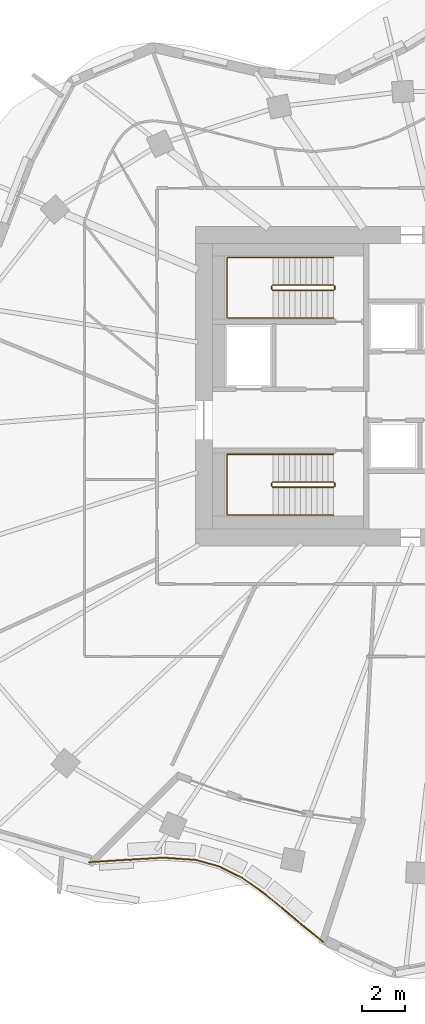
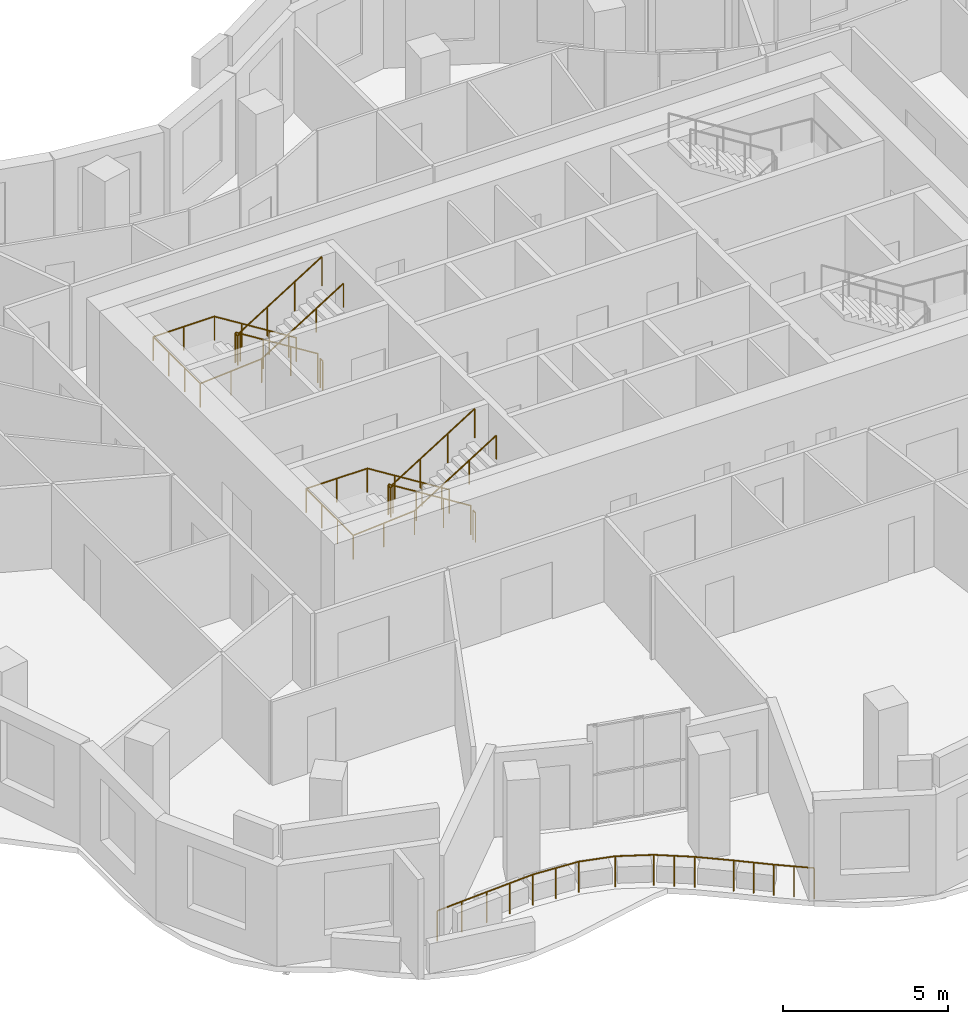
# One storey, part 12 of 13: 7 railings.
"""IFC4 building model written with IfcOpenShell, lengths in metres."""

from ifc_helpers import new_model, si_unit, direction, frame, origin, origin_2d, place, context, subcontext, project, spatial, circle, extrude, material, type_object, element, save


model = new_model("IFC4")

# Units and contexts
model_context = context("Model", 3, precision=1e-05, world=origin(), true_north=direction((0.0, 1.0)))
body_context = subcontext(model_context, "Body", "Model", "MODEL_VIEW")
ifc_project = project(units=[si_unit("LENGTHUNIT", "METRE"), si_unit("AREAUNIT", "SQUARE_METRE"), si_unit("VOLUMEUNIT", "CUBIC_METRE"), si_unit("PLANEANGLEUNIT", "RADIAN"), si_unit("MASSUNIT", "GRAM", prefix="KILO")], contexts=[model_context])

# Site, building, storey
site_placement = place(None, origin())
site = spatial("IfcSite", under=ifc_project, at=site_placement, CompositionType="ELEMENT")
building_placement = place(site_placement, origin())
building = spatial("IfcBuilding", under=site, at=building_placement, Name="Rubra Terraces Tower", CompositionType="ELEMENT")
storey_placement = place(building_placement, frame((0.0, 0.0, 252.60009765625)))
storey = spatial("IfcBuildingStorey", under=building, at=storey_placement, Name="L62", CompositionType="ELEMENT", Elevation=252.60009765625)

# Railings
ifc_material_1 = material(Name="Stainless steel", Category="steel")
railing_type_1 = type_object("IfcRailingType", Name="Core stair guard 1100", PredefinedType="GUARDRAIL", material=ifc_material_1)
railing_1_placement = place(storey_placement, frame((-6.5, 0.0, 0.162353515625)))
element("IfcRailing", 1, at=railing_1_placement, inside=storey, type_object=railing_type_1, Name="L62 stair S1 guard 1", PredefinedType="GUARDRAIL", context=body_context, shape_type="SweptSolid", body=[
    extrude(circle(Radius=0.02392578125, at=origin_2d()), frame((0.0, 0.0, 1.076171875), z_axis=(-0.847994237388, 0.0, 0.530005446535), x_axis=(0.0, -1.0, 0.0)), (0.0, 0.0, 1.0), 3.372802734375),
    extrude(circle(Radius=0.02392578125, at=origin_2d()), frame((-2.860107421875, 0.0, 2.86376953125), z_axis=(-0.705375805398, -0.708833529934, 0.0), x_axis=(0.708833529934, -0.705375805398, 0.0)), (0.0, 0.0, 1.0), 0.070556640625),
    extrude(circle(Radius=0.02392578125, at=origin_2d()), frame((-2.909912109375, -0.050048828125, 2.86376953125), z_axis=(0.0, -1.0, 0.0), x_axis=(1.0, 0.0, 0.0)), (0.0, 0.0, 1.0), 0.14990234375),
    extrude(circle(Radius=0.02392578125, at=origin_2d()), frame((-2.909912109375, -0.199951171875, 2.86376953125), z_axis=(0.281314826061, -0.282693820306, 0.917031173188), x_axis=(0.708833529934, 0.705375805398, 0.0)), (0.0, 0.0, 1.0), 0.177001953125),
    extrude(circle(Radius=0.02392578125, at=origin_2d()), frame((-2.860107421875, -0.25, 3.02587890625), z_axis=(0.847994237388, 0.0, 0.530005446535), x_axis=(0.0, 1.0, 0.0)), (0.0, 0.0, 1.0), 3.372802734375),
    extrude(circle(Radius=0.02099609375, at=origin_2d()), origin(), (0.0, 0.0, 1.0), 1.052001953125),
    extrude(circle(Radius=0.02099609375, at=origin_2d()), frame((-0.953369140625, 0.0, 0.595947265625)), (0.0, 0.0, 1.0), 1.052001953125),
    extrude(circle(Radius=0.02099609375, at=origin_2d()), frame((-1.90673828125, 0.0, 1.191650390625)), (0.0, 0.0, 1.0), 1.052001953125),
    extrude(circle(Radius=0.02099609375, at=origin_2d()), frame((-2.860107421875, 0.0, 1.78759765625)), (0.0, 0.0, 1.0), 1.052001953125),
    extrude(circle(Radius=0.02099609375, at=origin_2d()), frame((-2.909912109375, -0.050048828125, 1.78759765625)), (0.0, 0.0, 1.0), 1.052001953125),
    extrude(circle(Radius=0.02099609375, at=origin_2d()), frame((-2.909912109375, -0.199951171875, 1.78759765625)), (0.0, 0.0, 1.0), 1.052001953125),
    extrude(circle(Radius=0.02099609375, at=origin_2d()), frame((-2.860107421875, -0.25, 1.949951171875)), (0.0, 0.0, 1.0), 1.052001953125),
    extrude(circle(Radius=0.02099609375, at=origin_2d()), frame((-1.90673828125, -0.25, 2.5458984375)), (0.0, 0.0, 1.0), 1.052001953125),
    extrude(circle(Radius=0.02099609375, at=origin_2d()), frame((-0.953369140625, -0.25, 3.1416015625)), (0.0, 0.0, 1.0), 1.052001953125),
    extrude(circle(Radius=0.02099609375, at=origin_2d()), frame((0.0, -0.25, 3.737548828125)), (0.0, 0.0, 1.0), 1.052001953125),
])
railing_2_placement = place(storey_placement, frame((-6.449951171875, -0.050048828125, 0.0)))
element("IfcRailing", 2, at=railing_2_placement, inside=storey, type_object=railing_type_1, Name="L62 stair S1 guard 2", PredefinedType="GUARDRAIL", context=body_context, shape_type="SweptSolid", body=[
    extrude(circle(Radius=0.02392578125, at=origin_2d()), frame((0.0, 0.0, 1.076171875), z_axis=(0.0, -1.0, 0.0), x_axis=(1.0, 0.0, 0.0)), (0.0, 0.0, 1.0), 0.14990234375),
    extrude(circle(Radius=0.02099609375, at=origin_2d()), origin(), (0.0, 0.0, 1.0), 1.052001953125),
    extrude(circle(Radius=0.02099609375, at=origin_2d()), frame((0.0, -0.14990234375, 0.0)), (0.0, 0.0, 1.0), 1.052001953125),
])
railing_3_placement = place(storey_placement, frame((-6.5, 9.25, 0.162353515625)))
element("IfcRailing", 3, at=railing_3_placement, inside=storey, type_object=railing_type_1, Name="L62 stair S2 guard 1", PredefinedType="GUARDRAIL", context=body_context, shape_type="SweptSolid", body=[
    extrude(circle(Radius=0.02392578125, at=origin_2d()), frame((0.0, 0.0, 1.076171875), z_axis=(-0.847994237388, 0.0, 0.530005446535), x_axis=(0.0, -1.0, 0.0)), (0.0, 0.0, 1.0), 3.372802734375),
    extrude(circle(Radius=0.02392578125, at=origin_2d()), frame((-2.860107421875, 0.0, 2.86376953125), z_axis=(-0.705375805398, -0.708833529934, 0.0), x_axis=(0.708833529934, -0.705375805398, 0.0)), (0.0, 0.0, 1.0), 0.070556640625),
    extrude(circle(Radius=0.02392578125, at=origin_2d()), frame((-2.909912109375, -0.050048828125, 2.86376953125), z_axis=(0.0, -1.0, 0.0), x_axis=(1.0, 0.0, 0.0)), (0.0, 0.0, 1.0), 0.14990234375),
    extrude(circle(Radius=0.02392578125, at=origin_2d()), frame((-2.909912109375, -0.199951171875, 2.86376953125), z_axis=(0.281314826061, -0.282693820306, 0.917031173188), x_axis=(0.708833529934, 0.705375805398, 0.0)), (0.0, 0.0, 1.0), 0.177001953125),
    extrude(circle(Radius=0.02392578125, at=origin_2d()), frame((-2.860107421875, -0.25, 3.02587890625), z_axis=(0.847994237388, 0.0, 0.530005446535), x_axis=(0.0, 1.0, 0.0)), (0.0, 0.0, 1.0), 3.372802734375),
    extrude(circle(Radius=0.02099609375, at=origin_2d()), origin(), (0.0, 0.0, 1.0), 1.052001953125),
    extrude(circle(Radius=0.02099609375, at=origin_2d()), frame((-0.953369140625, 0.0, 0.595947265625)), (0.0, 0.0, 1.0), 1.052001953125),
    extrude(circle(Radius=0.02099609375, at=origin_2d()), frame((-1.90673828125, 0.0, 1.191650390625)), (0.0, 0.0, 1.0), 1.052001953125),
    extrude(circle(Radius=0.02099609375, at=origin_2d()), frame((-2.860107421875, 0.0, 1.78759765625)), (0.0, 0.0, 1.0), 1.052001953125),
    extrude(circle(Radius=0.02099609375, at=origin_2d()), frame((-2.909912109375, -0.050048828125, 1.78759765625)), (0.0, 0.0, 1.0), 1.052001953125),
    extrude(circle(Radius=0.02099609375, at=origin_2d()), frame((-2.909912109375, -0.199951171875, 1.78759765625)), (0.0, 0.0, 1.0), 1.052001953125),
    extrude(circle(Radius=0.02099609375, at=origin_2d()), frame((-2.860107421875, -0.25, 1.949951171875)), (0.0, 0.0, 1.0), 1.052001953125),
    extrude(circle(Radius=0.02099609375, at=origin_2d()), frame((-1.90673828125, -0.25, 2.5458984375)), (0.0, 0.0, 1.0), 1.052001953125),
    extrude(circle(Radius=0.02099609375, at=origin_2d()), frame((-0.953369140625, -0.25, 3.1416015625)), (0.0, 0.0, 1.0), 1.052001953125),
    extrude(circle(Radius=0.02099609375, at=origin_2d()), frame((0.0, -0.25, 3.737548828125)), (0.0, 0.0, 1.0), 1.052001953125),
])
railing_4_placement = place(storey_placement, frame((-6.449951171875, 9.199951171875, 0.0)))
element("IfcRailing", 4, at=railing_4_placement, inside=storey, type_object=railing_type_1, Name="L62 stair S2 guard 2", PredefinedType="GUARDRAIL", context=body_context, shape_type="SweptSolid", body=[
    extrude(circle(Radius=0.02392578125, at=origin_2d()), frame((0.0, 0.0, 1.076171875), z_axis=(0.0, -1.0, 0.0), x_axis=(1.0, 0.0, 0.0)), (0.0, 0.0, 1.0), 0.14990234375),
    extrude(circle(Radius=0.02099609375, at=origin_2d()), origin(), (0.0, 0.0, 1.0), 1.052001953125),
    extrude(circle(Radius=0.02099609375, at=origin_2d()), frame((0.0, -0.14990234375, 0.0)), (0.0, 0.0, 1.0), 1.052001953125),
])
railing_type_2 = type_object("IfcRailingType", Name="Core stair handrail 900", PredefinedType="HANDRAIL", material=ifc_material_1)
railing_5_placement = place(storey_placement, frame((-6.5, 1.300048828125, 0.162353515625)))
element("IfcRailing", 5, at=railing_5_placement, inside=storey, type_object=railing_type_2, Name="L62 stair S1 handrail 1", PredefinedType="HANDRAIL", context=body_context, shape_type="SweptSolid", body=[
    extrude(circle(Radius=0.02392578125, at=origin_2d()), frame((0.0, 0.0, 0.8759765625), z_axis=(-0.847994237388, 0.0, 0.530005446535), x_axis=(0.0, -1.0, 0.0)), (0.0, 0.0, 1.0), 3.372802734375),
    extrude(circle(Radius=0.02392578125, at=origin_2d()), frame((-2.860107421875, 0.0, 2.66357421875), z_axis=(-1.0, 0.0, 0.0), x_axis=(0.0, -1.0, 0.0)), (0.0, 0.0, 1.0), 2.139892578125),
    extrude(circle(Radius=0.02392578125, at=origin_2d()), frame((-5.0, 0.0, 2.66357421875), z_axis=(0.0, -1.0, 0.0), x_axis=(1.0, 0.0, 0.0)), (0.0, 0.0, 1.0), 2.85009765625),
    extrude(circle(Radius=0.02392578125, at=origin_2d()), frame((-5.0, -2.85009765625, 2.66357421875), z_axis=(0.9971342424, 0.0, 0.075652512401), x_axis=(0.0, 1.0, 0.0)), (0.0, 0.0, 1.0), 2.14599609375),
    extrude(circle(Radius=0.02392578125, at=origin_2d()), frame((-2.860107421875, -2.85009765625, 2.82568359375), z_axis=(0.847994237388, 0.0, 0.530005446535), x_axis=(0.0, 1.0, 0.0)), (0.0, 0.0, 1.0), 3.372802734375),
    extrude(circle(Radius=0.02099609375, at=origin_2d()), origin(), (0.0, 0.0, 1.0), 0.851806640625),
    extrude(circle(Radius=0.02099609375, at=origin_2d()), frame((-0.953369140625, 0.0, 0.595947265625)), (0.0, 0.0, 1.0), 0.851806640625),
    extrude(circle(Radius=0.02099609375, at=origin_2d()), frame((-1.90673828125, 0.0, 1.191650390625)), (0.0, 0.0, 1.0), 0.851806640625),
    extrude(circle(Radius=0.02099609375, at=origin_2d()), frame((-2.860107421875, 0.0, 1.78759765625)), (0.0, 0.0, 1.0), 0.851806640625),
    extrude(circle(Radius=0.02099609375, at=origin_2d()), frame((-3.93017578125, 0.0, 1.78759765625)), (0.0, 0.0, 1.0), 0.851806640625),
    extrude(circle(Radius=0.02099609375, at=origin_2d()), frame((-5.0, 0.0, 1.78759765625)), (0.0, 0.0, 1.0), 0.851806640625),
    extrude(circle(Radius=0.02099609375, at=origin_2d()), frame((-5.0, -0.949951171875, 1.78759765625)), (0.0, 0.0, 1.0), 0.851806640625),
    extrude(circle(Radius=0.02099609375, at=origin_2d()), frame((-5.0, -1.900146484375, 1.78759765625)), (0.0, 0.0, 1.0), 0.851806640625),
    extrude(circle(Radius=0.02099609375, at=origin_2d()), frame((-5.0, -2.85009765625, 1.78759765625)), (0.0, 0.0, 1.0), 0.851806640625),
    extrude(circle(Radius=0.02099609375, at=origin_2d()), frame((-3.93017578125, -2.85009765625, 1.86865234375)), (0.0, 0.0, 1.0), 0.851806640625),
    extrude(circle(Radius=0.02099609375, at=origin_2d()), frame((-2.860107421875, -2.85009765625, 1.949951171875)), (0.0, 0.0, 1.0), 0.851806640625),
    extrude(circle(Radius=0.02099609375, at=origin_2d()), frame((-1.90673828125, -2.85009765625, 2.5458984375)), (0.0, 0.0, 1.0), 0.851806640625),
    extrude(circle(Radius=0.02099609375, at=origin_2d()), frame((-0.953369140625, -2.85009765625, 3.1416015625)), (0.0, 0.0, 1.0), 0.851806640625),
    extrude(circle(Radius=0.02099609375, at=origin_2d()), frame((0.0, -2.85009765625, 3.737548828125)), (0.0, 0.0, 1.0), 0.851806640625),
])
railing_6_placement = place(storey_placement, frame((-6.5, 10.550048828125, 0.162353515625)))
element("IfcRailing", 6, at=railing_6_placement, inside=storey, type_object=railing_type_2, Name="L62 stair S2 handrail 1", PredefinedType="HANDRAIL", context=body_context, shape_type="SweptSolid", body=[
    extrude(circle(Radius=0.02392578125, at=origin_2d()), frame((0.0, 0.0, 0.8759765625), z_axis=(-0.847994237388, 0.0, 0.530005446535), x_axis=(0.0, -1.0, 0.0)), (0.0, 0.0, 1.0), 3.372802734375),
    extrude(circle(Radius=0.02392578125, at=origin_2d()), frame((-2.860107421875, 0.0, 2.66357421875), z_axis=(-1.0, 0.0, 0.0), x_axis=(0.0, -1.0, 0.0)), (0.0, 0.0, 1.0), 2.139892578125),
    extrude(circle(Radius=0.02392578125, at=origin_2d()), frame((-5.0, 0.0, 2.66357421875), z_axis=(0.0, -1.0, 0.0), x_axis=(1.0, 0.0, 0.0)), (0.0, 0.0, 1.0), 2.85009765625),
    extrude(circle(Radius=0.02392578125, at=origin_2d()), frame((-5.0, -2.85009765625, 2.66357421875), z_axis=(0.9971342424, 0.0, 0.075652512401), x_axis=(0.0, 1.0, 0.0)), (0.0, 0.0, 1.0), 2.14599609375),
    extrude(circle(Radius=0.02392578125, at=origin_2d()), frame((-2.860107421875, -2.85009765625, 2.82568359375), z_axis=(0.847994237388, 0.0, 0.530005446535), x_axis=(0.0, 1.0, 0.0)), (0.0, 0.0, 1.0), 3.372802734375),
    extrude(circle(Radius=0.02099609375, at=origin_2d()), origin(), (0.0, 0.0, 1.0), 0.851806640625),
    extrude(circle(Radius=0.02099609375, at=origin_2d()), frame((-0.953369140625, 0.0, 0.595947265625)), (0.0, 0.0, 1.0), 0.851806640625),
    extrude(circle(Radius=0.02099609375, at=origin_2d()), frame((-1.90673828125, 0.0, 1.191650390625)), (0.0, 0.0, 1.0), 0.851806640625),
    extrude(circle(Radius=0.02099609375, at=origin_2d()), frame((-2.860107421875, 0.0, 1.78759765625)), (0.0, 0.0, 1.0), 0.851806640625),
    extrude(circle(Radius=0.02099609375, at=origin_2d()), frame((-3.93017578125, 0.0, 1.78759765625)), (0.0, 0.0, 1.0), 0.851806640625),
    extrude(circle(Radius=0.02099609375, at=origin_2d()), frame((-5.0, 0.0, 1.78759765625)), (0.0, 0.0, 1.0), 0.851806640625),
    extrude(circle(Radius=0.02099609375, at=origin_2d()), frame((-5.0, -0.949951171875, 1.78759765625)), (0.0, 0.0, 1.0), 0.851806640625),
    extrude(circle(Radius=0.02099609375, at=origin_2d()), frame((-5.0, -1.900146484375, 1.78759765625)), (0.0, 0.0, 1.0), 0.851806640625),
    extrude(circle(Radius=0.02099609375, at=origin_2d()), frame((-5.0, -2.85009765625, 1.78759765625)), (0.0, 0.0, 1.0), 0.851806640625),
    extrude(circle(Radius=0.02099609375, at=origin_2d()), frame((-3.93017578125, -2.85009765625, 1.86865234375)), (0.0, 0.0, 1.0), 0.851806640625),
    extrude(circle(Radius=0.02099609375, at=origin_2d()), frame((-2.860107421875, -2.85009765625, 1.949951171875)), (0.0, 0.0, 1.0), 0.851806640625),
    extrude(circle(Radius=0.02099609375, at=origin_2d()), frame((-1.90673828125, -2.85009765625, 2.5458984375)), (0.0, 0.0, 1.0), 0.851806640625),
    extrude(circle(Radius=0.02099609375, at=origin_2d()), frame((-0.953369140625, -2.85009765625, 3.1416015625)), (0.0, 0.0, 1.0), 0.851806640625),
    extrude(circle(Radius=0.02099609375, at=origin_2d()), frame((0.0, -2.85009765625, 3.737548828125)), (0.0, 0.0, 1.0), 0.851806640625),
])
ifc_material_2 = material(Name="Steel, powder-coated dark grey", Category="steel")
railing_type_3 = type_object("IfcRailingType", Name="Terrace guard 1150", PredefinedType="GUARDRAIL", material=ifc_material_2)
railing_7_placement = place(storey_placement, frame((-17.9833984375, -17.856201171875, 0.0)))
element("IfcRailing", 7, at=railing_7_placement, inside=storey, type_object=railing_type_3, Name="Terrace guard L62", PredefinedType="GUARDRAIL", context=body_context, shape_type="SweptSolid", body=[
    extrude(circle(Radius=0.02392578125, at=origin_2d()), frame((0.0, 0.0, 1.1259765625), z_axis=(0.998050461579, 0.062412147393, 0.0), x_axis=(-0.062412147393, 0.998050461579, 0.0)), (0.0, 0.0, 1.0), 1.79541015625),
    extrude(circle(Radius=0.02392578125, at=origin_2d()), frame((1.7919921875, 0.112060546875, 1.1259765625), z_axis=(0.998228423463, 0.059498021742, 0.0), x_axis=(-0.059498021742, 0.998228423463, 0.0)), (0.0, 0.0, 1.0), 1.67822265625),
    extrude(circle(Radius=0.02392578125, at=origin_2d()), frame((3.46728515625, 0.2119140625, 1.1259765625), z_axis=(0.997643034614, -0.068617603332, 0.0), x_axis=(0.068617603332, 0.997643034614, 0.0)), (0.0, 0.0, 1.0), 1.544189453125),
    extrude(circle(Radius=0.02392578125, at=origin_2d()), frame((5.0078125, 0.10595703125, 1.1259765625), z_axis=(0.96338914991, -0.268106967152, 0.0), x_axis=(0.268106967152, 0.96338914991, 0.0)), (0.0, 0.0, 1.0), 1.141845703125),
    extrude(circle(Radius=0.02392578125, at=origin_2d()), frame((6.10791015625, -0.2001953125, 1.1259765625), z_axis=(0.895386333246, -0.445290146125, 0.0), x_axis=(0.445290146125, 0.895386333246, 0.0)), (0.0, 0.0, 1.0), 1.16845703125),
    extrude(circle(Radius=0.02392578125, at=origin_2d()), frame((7.154052734375, -0.720458984375, 1.1259765625), z_axis=(0.820392584181, -0.571800671406, 0.0), x_axis=(0.571800671406, 0.820392584181, 0.0)), (0.0, 0.0, 1.0), 1.243408203125),
    extrude(circle(Radius=0.02392578125, at=origin_2d()), frame((8.174072265625, -1.431396484375, 1.1259765625), z_axis=(0.774286967389, -0.632834648333, 0.0), x_axis=(0.632834648333, 0.774286967389, 0.0)), (0.0, 0.0, 1.0), 1.1875),
    extrude(circle(Radius=0.02392578125, at=origin_2d()), frame((9.093505859375, -2.182861328125, 1.1259765625), z_axis=(0.763182810636, -0.646182634825, 0.0), x_axis=(0.646182634825, 0.763182810636, 0.0)), (0.0, 0.0, 1.0), 1.22900390625),
    extrude(circle(Radius=0.02392578125, at=origin_2d()), frame((10.031494140625, -2.97705078125, 1.1259765625), z_axis=(0.783520721089, -0.62136565694, 0.0), x_axis=(0.62136565694, 0.783520721089, 0.0)), (0.0, 0.0, 1.0), 1.2451171875),
    extrude(circle(Radius=0.02099609375, at=origin_2d()), origin(), (0.0, 0.0, 1.0), 1.101806640625),
    extrude(circle(Radius=0.02099609375, at=origin_2d()), frame((0.89599609375, 0.05615234375, 0.0)), (0.0, 0.0, 1.0), 1.101806640625),
    extrude(circle(Radius=0.02099609375, at=origin_2d()), frame((1.7919921875, 0.112060546875, 0.0)), (0.0, 0.0, 1.0), 1.101806640625),
    extrude(circle(Radius=0.02099609375, at=origin_2d()), frame((2.629638671875, 0.162109375, 0.0)), (0.0, 0.0, 1.0), 1.101806640625),
    extrude(circle(Radius=0.02099609375, at=origin_2d()), frame((3.46728515625, 0.2119140625, 0.0)), (0.0, 0.0, 1.0), 1.101806640625),
    extrude(circle(Radius=0.02099609375, at=origin_2d()), frame((4.237548828125, 0.158935546875, 0.0)), (0.0, 0.0, 1.0), 1.101806640625),
    extrude(circle(Radius=0.02099609375, at=origin_2d()), frame((5.0078125, 0.10595703125, 0.0)), (0.0, 0.0, 1.0), 1.101806640625),
    extrude(circle(Radius=0.02099609375, at=origin_2d()), frame((6.10791015625, -0.2001953125, 0.0)), (0.0, 0.0, 1.0), 1.101806640625),
    extrude(circle(Radius=0.02099609375, at=origin_2d()), frame((7.154052734375, -0.720458984375, 0.0)), (0.0, 0.0, 1.0), 1.101806640625),
    extrude(circle(Radius=0.02099609375, at=origin_2d()), frame((7.6640625, -1.075927734375, 0.0)), (0.0, 0.0, 1.0), 1.101806640625),
    extrude(circle(Radius=0.02099609375, at=origin_2d()), frame((8.174072265625, -1.431396484375, 0.0)), (0.0, 0.0, 1.0), 1.101806640625),
    extrude(circle(Radius=0.02099609375, at=origin_2d()), frame((9.093505859375, -2.182861328125, 0.0)), (0.0, 0.0, 1.0), 1.101806640625),
    extrude(circle(Radius=0.02099609375, at=origin_2d()), frame((9.5625, -2.580078125, 0.0)), (0.0, 0.0, 1.0), 1.101806640625),
    extrude(circle(Radius=0.02099609375, at=origin_2d()), frame((10.031494140625, -2.97705078125, 0.0)), (0.0, 0.0, 1.0), 1.101806640625),
    extrude(circle(Radius=0.02099609375, at=origin_2d()), frame((10.519287109375, -3.36376953125, 0.0)), (0.0, 0.0, 1.0), 1.101806640625),
    extrude(circle(Radius=0.02099609375, at=origin_2d()), frame((11.007080078125, -3.750732421875, 0.0)), (0.0, 0.0, 1.0), 1.101806640625),
])

save(model, "model.ifc")
